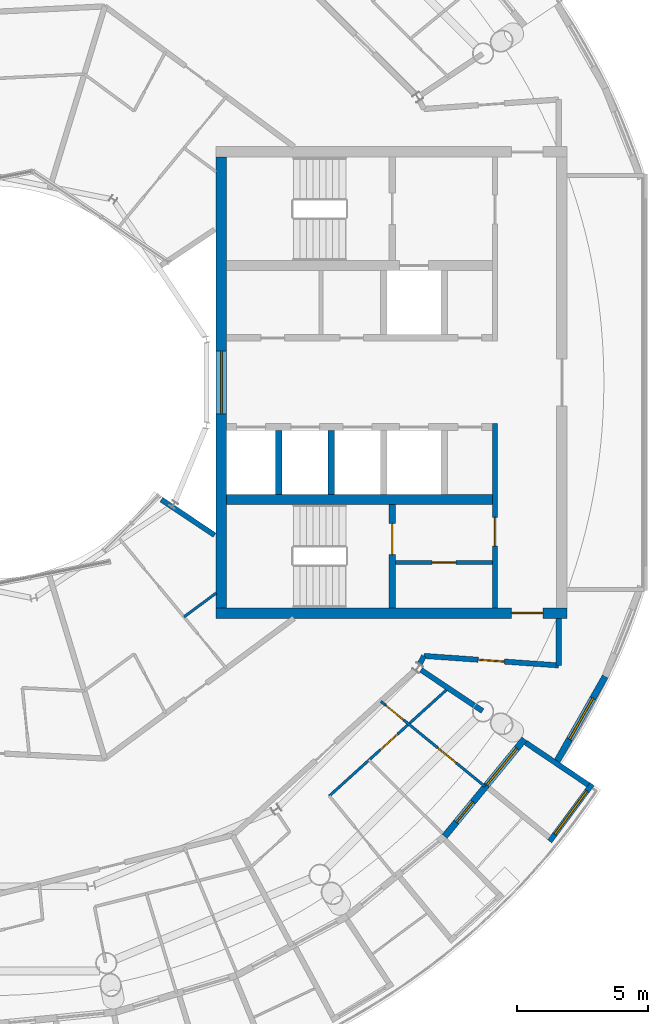
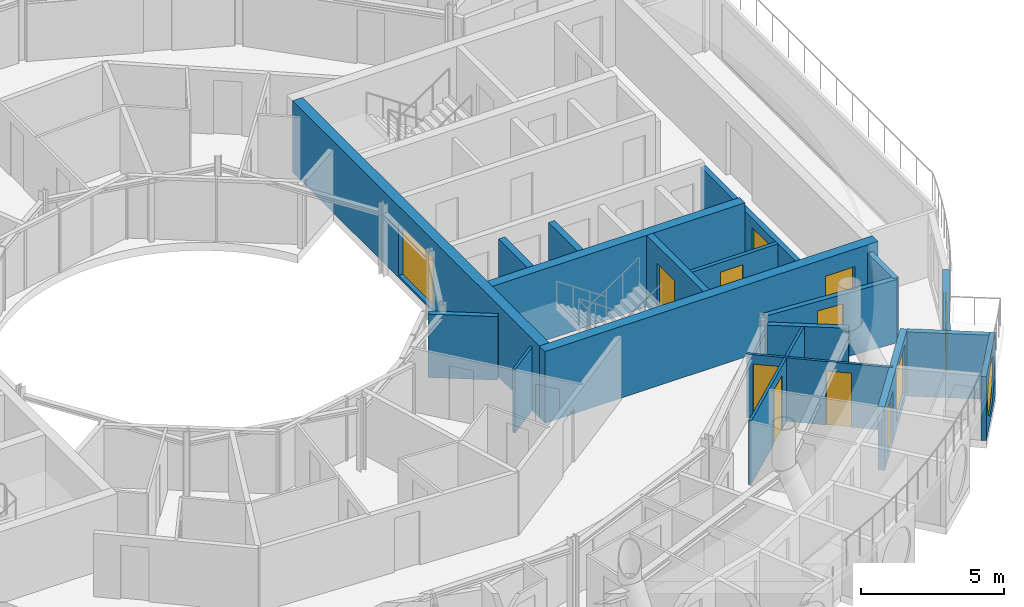
# One storey, part 16 of 25: 20 walls, 9 doors, 4 windows, 13 openings.
"""IFC4 building model written with IfcOpenShell, lengths in metres."""

from ifc_helpers import new_model, si_unit, direction, frame, frame_2d, origin, place, context, subcontext, project, spatial, rectangle, circle, extrude, material, layer, layer_set, type_object, element, fill, save


model = new_model("IFC4")

# Units and contexts
model_context = context("Model", 3, precision=1e-05, world=origin(), true_north=direction((0.0, 1.0)))
body_context = subcontext(model_context, "Body", "Model", "MODEL_VIEW")
ifc_project = project(units=[si_unit("LENGTHUNIT", "METRE"), si_unit("AREAUNIT", "SQUARE_METRE"), si_unit("VOLUMEUNIT", "CUBIC_METRE"), si_unit("PLANEANGLEUNIT", "RADIAN"), si_unit("MASSUNIT", "GRAM", prefix="KILO")], contexts=[model_context])

# Site, building, storey
site_placement = place(None, origin())
site = spatial("IfcSite", under=ifc_project, at=site_placement, CompositionType="ELEMENT")
building_placement = place(site_placement, origin())
building = spatial("IfcBuilding", under=site, at=building_placement, Name="Maasbend Ring Residences", CompositionType="ELEMENT")
storey_placement = place(building_placement, frame((0.0, 0.0, 246.25)))
storey = spatial("IfcBuildingStorey", under=building, at=storey_placement, Name="L71", CompositionType="ELEMENT", Elevation=246.25)

# Wall, opening, door
ifc_material_1 = material(Name="Concrete C50/60", Category="concrete")
ifc_layer_1 = layer(ifc_material_1, 0.25)
ifc_layer_set_1 = layer_set([ifc_layer_1], Name="Concrete C50/60")
wall_type_1 = type_object("IfcWallType", Name="CORE WALL 250 C50/60", PredefinedType="SHEAR", material=ifc_layer_set_1)
wall_1_placement = place(storey_placement, frame((15.324951171875, -8.60009765625, 0.0), z_axis=(0.0, 0.0, 1.0), x_axis=(0.0, 1.0, 0.0)))
wall_1 = element("IfcWall", 1, at=wall_1_placement, inside=storey, type_object=wall_type_1, Name="L71 core E wall STES", PredefinedType="SHEAR", context=body_context, shape_type="SweptSolid", body=[
    extrude(rectangle(XDim=3.9501953125, YDim=0.25, at=frame_2d((1.97509765625, 0.0))), origin(), (0.0, 0.0, 1.0), 3.050048828125),
])
opening_1_placement = place(wall_1_placement, frame((2.02490234375, 0.0, 0.0)))
opening_1 = element("IfcOpeningElement", 2, at=opening_1_placement, cuts=wall_1, Name="Opening D-E7112", PredefinedType="OPENING", context=body_context, shape_type="SweptSolid", body=[
    extrude(rectangle(XDim=1.199951171875, YDim=2.300048828125, at=frame_2d((0.60009765625, 1.14990234375))), frame((0.0, 0.135009765625, 0.0), z_axis=(0.0, -1.0, 0.0), x_axis=(1.0, 0.0, 0.0)), (0.0, 0.0, 1.0), 0.27001953125),
])
ifc_material_2 = material(Name="Steel, powder coated", Category="steel")
door_type_1 = type_object("IfcDoorType", Name="STAIR DOOR 1200 X 2300 FD60", OperationType="NOTDEFINED", PredefinedType="DOOR", material=ifc_material_2)
door_1_placement = place(opening_1_placement, origin())
door_1 = element("IfcDoor", 3, at=door_1_placement, inside=storey, type_object=door_type_1, Name="Stair door ST-E L71", OperationType="SINGLE_SWING_LEFT", OverallHeight=2.300048828125, OverallWidth=1.199951171875, PredefinedType="DOOR", context=body_context, shape_type="SweptSolid", body=[
    extrude(rectangle(XDim=1.199951171875, YDim=2.300048828125, at=frame_2d((0.60009765625, 1.14990234375))), frame((0.0, 0.02490234375, 0.0), z_axis=(0.0, -1.0, 0.0), x_axis=(1.0, 0.0, 0.0)), (0.0, 0.0, 1.0), 0.050048828125),
])
fill(opening_1, door_1)

# Wall
ifc_material_3 = material(Name="Concrete C50/60", Category="concrete")
ifc_layer_2 = layer(ifc_material_3, 0.375)
ifc_layer_set_2 = layer_set([ifc_layer_2], Name="Concrete C50/60")
wall_type_2 = type_object("IfcWallType", Name="CORE WALL 375 C50/60", PredefinedType="SHEAR", material=ifc_layer_set_2)
wall_2_placement = place(storey_placement, frame((9.0, -4.46240234375, 0.0), z_axis=(0.0, 0.0, 1.0), x_axis=(1.0, 0.0, 0.0)))
element("IfcWall", 4, at=wall_2_placement, inside=storey, type_object=wall_type_2, Name="L71 core E wall BS", PredefinedType="SHEAR", context=body_context, shape_type="SweptSolid", body=[
    extrude(rectangle(XDim=10.14990234375, YDim=0.375, at=frame_2d((5.074951171875, 0.0))), origin(), (0.0, 0.0, 1.0), 3.050048828125),
])

# Wall, opening, door
ifc_material_4 = material(Name="Concrete C50/60", Category="concrete")
ifc_layer_3 = layer(ifc_material_4, 0.39990234375)
ifc_layer_set_3 = layer_set([ifc_layer_3], Name="Concrete C50/60")
wall_type_3 = type_object("IfcWallType", Name="CORE WALL 400 C50/60", PredefinedType="SHEAR", material=ifc_layer_set_3)
wall_3_placement = place(storey_placement, frame((8.60009765625, -8.800048828125, 0.0), z_axis=(0.0, 0.0, 1.0), x_axis=(1.0, 0.0, 0.0)))
wall_3 = element("IfcWall", 5, at=wall_3_placement, inside=storey, type_object=wall_type_3, Name="L71 core E wall PS", PredefinedType="SHEAR", context=body_context, shape_type="SweptSolid", body=[
    extrude(rectangle(XDim=13.39990234375, YDim=0.39990234375, at=frame_2d((6.699951171875, 0.0))), origin(), (0.0, 0.0, 1.0), 3.050048828125),
])
opening_2_placement = place(wall_3_placement, frame((11.27490234375, 0.0, 0.0)))
opening_2 = element("IfcOpeningElement", 6, at=opening_2_placement, cuts=wall_3, Name="Opening D-E7116", PredefinedType="OPENING", context=body_context, shape_type="SweptSolid", body=[
    extrude(rectangle(XDim=1.199951171875, YDim=2.300048828125, at=frame_2d((0.60009765625, 1.14990234375))), frame((0.0, 0.2099609375, 0.0), z_axis=(0.0, -1.0, 0.0), x_axis=(1.0, 0.0, 0.0)), (0.0, 0.0, 1.0), 0.419921875),
])
ifc_material_5 = material(Name="Steel, powder coated", Category="steel")
door_type_2 = type_object("IfcDoorType", Name="CORRIDOR DOOR 1200 X 2300 FD30S", OperationType="NOTDEFINED", PredefinedType="DOOR", material=ifc_material_5)
door_2_placement = place(opening_2_placement, origin())
door_2 = element("IfcDoor", 7, at=door_2_placement, inside=storey, type_object=door_type_2, Name="Corridor door L71", OperationType="SINGLE_SWING_LEFT", OverallHeight=2.300048828125, OverallWidth=1.199951171875, PredefinedType="DOOR", context=body_context, shape_type="SweptSolid", body=[
    extrude(rectangle(XDim=1.199951171875, YDim=2.300048828125, at=frame_2d((0.60009765625, 1.14990234375))), frame((0.0, 0.02490234375, 0.0), z_axis=(0.0, -1.0, 0.0), x_axis=(1.0, 0.0, 0.0)), (0.0, 0.0, 1.0), 0.050048828125),
])
fill(opening_2, door_2)

# Wall, opening, window
wall_4_placement = place(storey_placement, frame((8.800048828125, -8.60009765625, 0.0), z_axis=(0.0, 0.0, 1.0), x_axis=(0.0, 1.0, 0.0)))
wall_4 = element("IfcWall", 8, at=wall_4_placement, inside=storey, type_object=wall_type_3, Name="L71 core E wall PIN", PredefinedType="SHEAR", context=body_context, shape_type="SweptSolid", body=[
    extrude(rectangle(XDim=17.2001953125, YDim=0.39990234375, at=frame_2d((8.60009765625, 0.0))), origin(), (0.0, 0.0, 1.0), 3.050048828125),
])
opening_3_placement = place(wall_4_placement, frame((7.39990234375, 0.0, 0.10009765625)))
opening_3 = element("IfcOpeningElement", 9, at=opening_3_placement, cuts=wall_4, Name="Opening W-E7101", PredefinedType="OPENING", context=body_context, shape_type="SweptSolid", body=[
    extrude(rectangle(XDim=2.39990234375, YDim=2.199951171875, at=frame_2d((1.199951171875, 1.10009765625))), frame((0.0, 0.2099609375, 0.0), z_axis=(0.0, -1.0, 0.0), x_axis=(1.0, 0.0, 0.0)), (0.0, 0.0, 1.0), 0.419921875),
])
ifc_material_6 = material(Name="Aluminium frame and clear glass", Category="aluminium")
window_type_1 = type_object("IfcWindowType", Name="FIXED WINDOW 2400 X 2200", PartitioningType="SINGLE_PANEL", PredefinedType="WINDOW", material=ifc_material_6)
window_1_placement = place(opening_3_placement, origin())
window_1 = element("IfcWindow", 10, at=window_1_placement, inside=storey, type_object=window_type_1, Name="Lobby window L71", OverallHeight=2.199951171875, OverallWidth=2.39990234375, PartitioningType="SINGLE_PANEL", PredefinedType="WINDOW", context=body_context, shape_type="SweptSolid", body=[
    extrude(rectangle(XDim=2.39990234375, YDim=2.199951171875, at=frame_2d((1.199951171875, 1.10009765625))), frame((0.0, 0.030029296875, 0.0), z_axis=(0.0, -1.0, 0.0), x_axis=(1.0, 0.0, 0.0)), (0.0, 0.0, 1.0), 0.06005859375),
])
fill(opening_3, window_1)

# Walls
ifc_material_7 = material(Name="Concrete C30/37", Category="concrete")
ifc_layer_4 = layer(ifc_material_7, 0.199951171875)
ifc_layer_set_4 = layer_set([ifc_layer_4], Name="Concrete C30/37")
wall_type_4 = type_object("IfcWallType", Name="CORRIDOR WALL 200 CONCRETE", PredefinedType="PARTITIONING", material=ifc_layer_set_4)
wall_5_placement = place(storey_placement, frame((21.675048828125, -10.800048828125, 0.0), z_axis=(0.0, 0.0, 1.0), x_axis=(0.0, 1.0, 0.0)))
element("IfcWall", 11, at=wall_5_placement, inside=storey, type_object=wall_type_4, Name="U-L71-w001", PredefinedType="PARTITIONING", context=body_context, shape_type="SweptSolid", body=[
    extrude(rectangle(XDim=1.800048828125, YDim=0.199951171875, at=frame_2d((0.89990234375, 0.0))), origin(), (0.0, 0.0, 1.0), 2.699951171875),
])
wall_6_placement = place(storey_placement, frame((16.366943359375, -10.756103515625, 0.0), z_axis=(0.0, 0.0, 1.0), x_axis=(0.465802239822, 0.884888848035, 0.0)))
element("IfcWall", 12, at=wall_6_placement, inside=storey, type_object=wall_type_4, Name="U-L71-w012", PredefinedType="PARTITIONING", context=body_context, shape_type="SweptSolid", body=[
    extrude(rectangle(XDim=0.360595703125, YDim=0.199951171875, at=frame_2d((0.18017578125, 0.0))), origin(), (0.0, 0.0, 1.0), 2.699951171875),
])

# Wall, opening, door
wall_7_placement = place(storey_placement, frame((16.534912109375, -10.43701171875, 0.0), z_axis=(0.0, 0.0, 1.0), x_axis=(0.997515141784, -0.070452408845, 0.0)))
wall_7 = element("IfcWall", 13, at=wall_7_placement, inside=storey, type_object=wall_type_4, Name="U-L71-w027", PredefinedType="PARTITIONING", context=body_context, shape_type="SweptSolid", body=[
    extrude(rectangle(XDim=5.15283203125, YDim=0.199951171875, at=frame_2d((2.576416015625, 0.0))), origin(), (0.0, 0.0, 1.0), 2.699951171875),
])
opening_4_placement = place(wall_7_placement, frame((2.075927734375, 0.0, 0.0)))
opening_4 = element("IfcOpeningElement", 14, at=opening_4_placement, cuts=wall_7, Name="Opening D-7168", PredefinedType="OPENING", context=body_context, shape_type="SweptSolid", body=[
    extrude(rectangle(XDim=1.0, YDim=2.300048828125, at=frame_2d((0.5, 1.14990234375))), frame((0.0, 0.10986328125, 0.0), z_axis=(0.0, -1.0, 0.0), x_axis=(1.0, 0.0, 0.0)), (0.0, 0.0, 1.0), 0.219970703125),
])
ifc_material_8 = material(Name="Timber, painted", Category="wood")
door_type_3 = type_object("IfcDoorType", Name="ROOM DOOR 1000 X 2300", OperationType="NOTDEFINED", PredefinedType="DOOR", material=ifc_material_8)
door_3_placement = place(opening_4_placement, origin())
door_3 = element("IfcDoor", 15, at=door_3_placement, inside=storey, type_object=door_type_3, Name="D-7168", OperationType="SINGLE_SWING_LEFT", OverallHeight=2.300048828125, OverallWidth=1.0, PredefinedType="DOOR", context=body_context, shape_type="SweptSolid", body=[
    extrude(rectangle(XDim=1.0, YDim=2.300048828125, at=frame_2d((0.5, 1.14990234375))), frame((0.0, 0.02490234375, 0.0), z_axis=(0.0, -1.0, 0.0), x_axis=(1.0, 0.0, 0.0)), (0.0, 0.0, 1.0), 0.050048828125),
])
fill(opening_4, door_3)

# Wall, opening, window
ifc_material_9 = material(Name="Pale anodised aluminium panel", Category="aluminium")
ifc_layer_5 = layer(ifc_material_9, 0.199951171875)
ifc_layer_set_5 = layer_set([ifc_layer_5], Name="EW-BOX")
wall_type_5 = type_object("IfcWallType", Name="EW-BOX", PredefinedType="SOLIDWALL", material=ifc_layer_set_5)
wall_8_placement = place(storey_placement, frame((21.33203125, -17.512939453125, -0.030029296875), z_axis=(0.0, 0.0, 1.0), x_axis=(0.59569365177, 0.803211723794, 0.0)))
wall_8 = element("IfcWall", 16, at=wall_8_placement, inside=storey, type_object=wall_type_5, Name="Box front S20", PredefinedType="SOLIDWALL", context=body_context, shape_type="SweptSolid", body=[
    extrude(rectangle(XDim=2.7177734375, YDim=0.199951171875, at=frame_2d((1.35888671875, 0.0))), origin(), (0.0, 0.0, 1.0), 2.72998046875),
])
opening_5_placement = place(wall_8_placement, frame((0.319091796875, 0.0, 0.330078125)))
opening_5 = element("IfcOpeningElement", 17, at=opening_5_placement, cuts=wall_8, Name="Opening W-RD", PredefinedType="OPENING", context=body_context, shape_type="SweptSolid", body=[
    extrude(circle(Radius=1.0400390625, at=frame_2d((1.0400390625, 1.0400390625))), frame((0.0, 0.10986328125, 0.0), z_axis=(0.0, -1.0, 0.0), x_axis=(1.0, 0.0, 0.0)), (0.0, 0.0, 1.0), 0.219970703125),
])
ifc_material_10 = material(Name="Aluminium and clear glass", Category="aluminium")
window_type_2 = type_object("IfcWindowType", Name="W-RD", PartitioningType="SINGLE_PANEL", PredefinedType="WINDOW", material=ifc_material_10)
window_2_placement = place(opening_5_placement, origin())
window_2 = element("IfcWindow", 18, at=window_2_placement, inside=storey, type_object=window_type_2, Name="Round window S20", OverallHeight=2.080078125, OverallWidth=2.080078125, PartitioningType="SINGLE_PANEL", PredefinedType="WINDOW", context=body_context, shape_type="SweptSolid", body=[
    extrude(circle(Radius=1.0400390625, at=frame_2d((1.0400390625, 1.0400390625))), frame((0.0, 0.030029296875, 0.0), z_axis=(0.0, -1.0, 0.0), x_axis=(1.0, 0.0, 0.0)), (0.0, 0.0, 1.0), 0.06005859375),
])
fill(opening_5, window_2)

# Wall
wall_9_placement = place(storey_placement, frame((20.4189453125, -13.75, -0.030029296875), z_axis=(0.0, 0.0, 1.0), x_axis=(0.829211810515, -0.558934498222, 0.0)))
element("IfcWall", 19, at=wall_9_placement, inside=storey, type_object=wall_type_5, Name="Box side wall S20 right", PredefinedType="SOLIDWALL", context=body_context, shape_type="SweptSolid", body=[
    extrude(rectangle(XDim=2.88232421875, YDim=0.199951171875, at=frame_2d((1.441162109375, 0.0))), origin(), (0.0, 0.0, 1.0), 2.72998046875),
])

# Wall, openings, door, window
ifc_material_11 = material(Name="Aluminium clad insulated panel", Category="aluminium")
ifc_layer_6 = layer(ifc_material_11, 0.25)
ifc_layer_set_6 = layer_set([ifc_layer_6], Name="EW-GL")
wall_type_6 = type_object("IfcWallType", Name="EW-GL", PredefinedType="SOLIDWALL", material=ifc_layer_set_6)
wall_10_placement = place(storey_placement, frame((17.323974609375, -17.323974609375, 0.0), z_axis=(0.0, 0.0, 1.0), x_axis=(0.634396836208, 0.773007538262, 0.0)))
wall_10 = element("IfcWall", 20, at=wall_10_placement, inside=storey, type_object=wall_type_6, Name="External wall S10", PredefinedType="SOLIDWALL", context=body_context, shape_type="SweptSolid", body=[
    extrude(rectangle(XDim=4.80322265625, YDim=0.25, at=frame_2d((2.401611328125, 0.0))), origin(), (0.0, 0.0, 1.0), 2.699951171875),
])
opening_6_placement = place(wall_10_placement, frame((0.70361328125, 0.0, 0.0)))
opening_6 = element("IfcOpeningElement", 21, at=opening_6_placement, cuts=wall_10, Name="Opening D-LG", PredefinedType="OPENING", context=body_context, shape_type="SweptSolid", body=[
    extrude(rectangle(XDim=1.0, YDim=2.199951171875, at=frame_2d((0.5, 1.10009765625))), frame((0.0, 0.135009765625, 0.0), z_axis=(0.0, -1.0, 0.0), x_axis=(1.0, 0.0, 0.0)), (0.0, 0.0, 1.0), 0.27001953125),
])
opening_7_placement = place(wall_10_placement, frame((2.54150390625, 0.0, 0.300048828125)))
opening_7 = element("IfcOpeningElement", 22, at=opening_7_placement, cuts=wall_10, Name="Opening W-BX", PredefinedType="OPENING", context=body_context, shape_type="SweptSolid", body=[
    extrude(rectangle(XDim=1.800048828125, YDim=2.10009765625, at=frame_2d((0.89990234375, 1.050048828125))), frame((0.0, 0.135009765625, 0.0), z_axis=(0.0, -1.0, 0.0), x_axis=(1.0, 0.0, 0.0)), (0.0, 0.0, 1.0), 0.27001953125),
])
ifc_material_12 = material(Name="Aluminium and clear glass", Category="aluminium")
door_type_4 = type_object("IfcDoorType", Name="D-LG", OperationType="SINGLE_SWING_LEFT", PredefinedType="DOOR", material=ifc_material_12)
door_4_placement = place(opening_6_placement, origin())
door_4 = element("IfcDoor", 23, at=door_4_placement, inside=storey, type_object=door_type_4, Name="Loggia door S19", OperationType="SINGLE_SWING_LEFT", OverallHeight=2.199951171875, OverallWidth=1.0, PredefinedType="DOOR", context=body_context, shape_type="SweptSolid", body=[
    extrude(rectangle(XDim=1.0, YDim=2.199951171875, at=frame_2d((0.5, 1.10009765625))), frame((0.0, 0.02490234375, 0.0), z_axis=(0.0, -1.0, 0.0), x_axis=(1.0, 0.0, 0.0)), (0.0, 0.0, 1.0), 0.050048828125),
])
fill(opening_6, door_4)
ifc_material_13 = material(Name="Aluminium and clear glass", Category="aluminium")
window_type_3 = type_object("IfcWindowType", Name="W-BX", PartitioningType="DOUBLE_PANEL_VERTICAL", PredefinedType="WINDOW", material=ifc_material_13)
window_3_placement = place(opening_7_placement, origin())
window_3 = element("IfcWindow", 24, at=window_3_placement, inside=storey, type_object=window_type_3, Name="Window S20 room to box", OverallHeight=2.10009765625, OverallWidth=1.800048828125, PartitioningType="SINGLE_PANEL", PredefinedType="WINDOW", context=body_context, shape_type="SweptSolid", body=[
    extrude(rectangle(XDim=1.800048828125, YDim=2.10009765625, at=frame_2d((0.89990234375, 1.050048828125))), frame((0.0, 0.030029296875, 0.0), z_axis=(0.0, -1.0, 0.0), x_axis=(1.0, 0.0, 0.0)), (0.0, 0.0, 1.0), 0.06005859375),
])
fill(opening_7, window_3)

# Wall, opening, window
ifc_material_14 = material(Name="Aluminium clad insulated panel", Category="aluminium")
ifc_layer_7 = layer(ifc_material_14, 0.25)
ifc_layer_set_7 = layer_set([ifc_layer_7], Name="EW-HORN")
wall_type_7 = type_object("IfcWallType", Name="EW-HORN", PredefinedType="SOLIDWALL", material=ifc_layer_set_7)
wall_11_placement = place(storey_placement, frame((21.617919921875, -14.445068359375, 0.0), z_axis=(0.0, 0.0, 1.0), x_axis=(0.495031435966, 0.868875064325, 0.0)))
wall_11 = element("IfcWall", 25, at=wall_11_placement, inside=storey, type_object=wall_type_7, Name="Horn wall 2.1", PredefinedType="SOLIDWALL", context=body_context, shape_type="SweptSolid", body=[
    extrude(rectangle(XDim=3.704833984375, YDim=0.25, at=frame_2d((1.8525390625, 0.0))), origin(), (0.0, 0.0, 1.0), 2.699951171875),
])
opening_8_placement = place(wall_11_placement, frame((0.952392578125, 0.0, 0.300048828125)))
opening_8 = element("IfcOpeningElement", 26, at=opening_8_placement, cuts=wall_11, Name="Opening W-BX", PredefinedType="OPENING", context=body_context, shape_type="SweptSolid", body=[
    extrude(rectangle(XDim=1.800048828125, YDim=2.10009765625, at=frame_2d((0.89990234375, 1.050048828125))), frame((0.0, 0.135009765625, 0.0), z_axis=(0.0, -1.0, 0.0), x_axis=(1.0, 0.0, 0.0)), (0.0, 0.0, 1.0), 0.27001953125),
])
window_4_placement = place(opening_8_placement, origin())
window_4 = element("IfcWindow", 27, at=window_4_placement, inside=storey, type_object=window_type_3, Name="Horn window 2.1", OverallHeight=2.10009765625, OverallWidth=1.800048828125, PartitioningType="SINGLE_PANEL", PredefinedType="WINDOW", context=body_context, shape_type="SweptSolid", body=[
    extrude(rectangle(XDim=1.800048828125, YDim=2.10009765625, at=frame_2d((0.89990234375, 1.050048828125))), frame((0.0, 0.030029296875, 0.0), z_axis=(0.0, -1.0, 0.0), x_axis=(1.0, 0.0, 0.0)), (0.0, 0.0, 1.0), 0.06005859375),
])
fill(opening_8, window_4)

# Wall, opening, door
ifc_material_15 = material(Name="Gypsum board on steel studs", Category="steel")
ifc_layer_8 = layer(ifc_material_15, 0.10009765625)
ifc_layer_set_8 = layer_set([ifc_layer_8], Name="PARTITION 100 GYPSUM")
wall_type_8 = type_object("IfcWallType", Name="PARTITION 100 GYPSUM", PredefinedType="PARTITIONING", material=ifc_layer_set_8)
wall_12_placement = place(storey_placement, frame((12.919921875, -15.784912109375, 0.0), z_axis=(0.0, 0.0, 1.0), x_axis=(0.74123210671, 0.671248809297, 0.0)))
wall_12 = element("IfcWall", 28, at=wall_12_placement, inside=storey, type_object=wall_type_8, Name="U-L71-w010", PredefinedType="PARTITIONING", context=body_context, shape_type="SweptSolid", body=[
    extrude(rectangle(XDim=6.115478515625, YDim=0.10009765625, at=frame_2d((3.0576171875, 0.0))), origin(), (0.0, 0.0, 1.0), 2.699951171875),
])
opening_9_placement = place(wall_12_placement, frame((2.6220703125, 0.0, 0.0)))
opening_9 = element("IfcOpeningElement", 29, at=opening_9_placement, cuts=wall_12, Name="Opening D-7153", PredefinedType="OPENING", context=body_context, shape_type="SweptSolid", body=[
    extrude(rectangle(XDim=0.89990234375, YDim=2.300048828125, at=frame_2d((0.449951171875, 1.14990234375))), frame((0.0, 0.06005859375, 0.0), z_axis=(0.0, -1.0, 0.0), x_axis=(1.0, 0.0, 0.0)), (0.0, 0.0, 1.0), 0.1201171875),
])
ifc_material_16 = material(Name="Timber, painted", Category="wood")
door_type_5 = type_object("IfcDoorType", Name="INTERNAL DOOR 900 X 2300", OperationType="NOTDEFINED", PredefinedType="DOOR", material=ifc_material_16)
door_5_placement = place(opening_9_placement, origin())
door_5 = element("IfcDoor", 30, at=door_5_placement, inside=storey, type_object=door_type_5, Name="D-7153", OperationType="SINGLE_SWING_RIGHT", OverallHeight=2.300048828125, OverallWidth=0.89990234375, PredefinedType="DOOR", context=body_context, shape_type="SweptSolid", body=[
    extrude(rectangle(XDim=0.89990234375, YDim=2.300048828125, at=frame_2d((0.449951171875, 1.14990234375))), frame((0.0, 0.02490234375, 0.0), z_axis=(0.0, -1.0, 0.0), x_axis=(1.0, 0.0, 0.0)), (0.0, 0.0, 1.0), 0.050048828125),
])
fill(opening_9, door_5)

# Wall
wall_13_placement = place(storey_placement, frame((7.3759765625, -8.947998046875, 0.0), z_axis=(0.0, 0.0, 1.0), x_axis=(0.80332760487, 0.595537370157, 0.0)))
element("IfcWall", 31, at=wall_13_placement, inside=storey, type_object=wall_type_8, Name="U-L71-w025", PredefinedType="PARTITIONING", context=body_context, shape_type="SweptSolid", body=[
    extrude(rectangle(XDim=1.526123046875, YDim=0.10009765625, at=frame_2d((0.76318359375, 0.0))), origin(), (0.0, 0.0, 1.0), 2.699951171875),
])

# Wall, openings, doors
wall_14_placement = place(storey_placement, frame((14.885009765625, -12.16796875, 0.0), z_axis=(0.0, 0.0, 1.0), x_axis=(0.774252940636, -0.632876278522, 0.0)))
wall_14 = element("IfcWall", 32, at=wall_14_placement, inside=storey, type_object=wall_type_8, Name="U-L71-w084", PredefinedType="PARTITIONING", context=body_context, shape_type="SweptSolid", body=[
    extrude(rectangle(XDim=5.149658203125, YDim=0.10009765625, at=frame_2d((2.57470703125, 0.0))), origin(), (0.0, 0.0, 1.0), 2.699951171875),
])
opening_10_placement = place(wall_14_placement, frame((0.237060546875, 0.0, 0.0)))
opening_10 = element("IfcOpeningElement", 33, at=opening_10_placement, cuts=wall_14, Name="Opening D-7151", PredefinedType="OPENING", context=body_context, shape_type="SweptSolid", body=[
    extrude(rectangle(XDim=0.89990234375, YDim=2.300048828125, at=frame_2d((0.449951171875, 1.14990234375))), frame((0.0, 0.06005859375, 0.0), z_axis=(0.0, -1.0, 0.0), x_axis=(1.0, 0.0, 0.0)), (0.0, 0.0, 1.0), 0.1201171875),
])
opening_11_placement = place(wall_14_placement, frame((2.81201171875, 0.0, 0.0)))
opening_11 = element("IfcOpeningElement", 34, at=opening_11_placement, cuts=wall_14, Name="Opening D-7154", PredefinedType="OPENING", context=body_context, shape_type="SweptSolid", body=[
    extrude(rectangle(XDim=0.89990234375, YDim=2.300048828125, at=frame_2d((0.449951171875, 1.14990234375))), frame((0.0, 0.06005859375, 0.0), z_axis=(0.0, -1.0, 0.0), x_axis=(1.0, 0.0, 0.0)), (0.0, 0.0, 1.0), 0.1201171875),
])
door_6_placement = place(opening_10_placement, origin())
door_6 = element("IfcDoor", 35, at=door_6_placement, inside=storey, type_object=door_type_5, Name="D-7151", OperationType="SINGLE_SWING_LEFT", OverallHeight=2.300048828125, OverallWidth=0.89990234375, PredefinedType="DOOR", context=body_context, shape_type="SweptSolid", body=[
    extrude(rectangle(XDim=0.89990234375, YDim=2.300048828125, at=frame_2d((0.449951171875, 1.14990234375))), frame((0.0, 0.02490234375, 0.0), z_axis=(0.0, -1.0, 0.0), x_axis=(1.0, 0.0, 0.0)), (0.0, 0.0, 1.0), 0.050048828125),
])
fill(opening_10, door_6)
door_7_placement = place(opening_11_placement, origin())
door_7 = element("IfcDoor", 36, at=door_7_placement, inside=storey, type_object=door_type_5, Name="D-7154", OperationType="SINGLE_SWING_RIGHT", OverallHeight=2.300048828125, OverallWidth=0.89990234375, PredefinedType="DOOR", context=body_context, shape_type="SweptSolid", body=[
    extrude(rectangle(XDim=0.89990234375, YDim=2.300048828125, at=frame_2d((0.449951171875, 1.14990234375))), frame((0.0, 0.02490234375, 0.0), z_axis=(0.0, -1.0, 0.0), x_axis=(1.0, 0.0, 0.0)), (0.0, 0.0, 1.0), 0.050048828125),
])
fill(opening_11, door_7)

# Wall, opening, door
ifc_material_17 = material(Name="Gypsum board on steel studs", Category="steel")
ifc_layer_9 = layer(ifc_material_17, 0.14990234375)
ifc_layer_set_9 = layer_set([ifc_layer_9], Name="PARTITION 150 EI 60")
wall_type_9 = type_object("IfcWallType", Name="PARTITION 150 EI 60", PredefinedType="PARTITIONING", material=ifc_layer_set_9)
wall_15_placement = place(storey_placement, frame((15.449951171875, -6.875, 0.0), z_axis=(0.0, 0.0, 1.0), x_axis=(1.0, 0.0, 0.0)))
wall_15 = element("IfcWall", 37, at=wall_15_placement, inside=storey, type_object=wall_type_9, Name="L71 core E wall RHS", PredefinedType="PARTITIONING", context=body_context, shape_type="SweptSolid", body=[
    extrude(rectangle(XDim=3.699951171875, YDim=0.14990234375, at=frame_2d((1.85009765625, 0.0))), origin(), (0.0, 0.0, 1.0), 2.699951171875),
])
opening_12_placement = place(wall_15_placement, frame((1.39990234375, 0.0, 0.0)))
opening_12 = element("IfcOpeningElement", 38, at=opening_12_placement, cuts=wall_15, Name="Opening D-E7110", PredefinedType="OPENING", context=body_context, shape_type="SweptSolid", body=[
    extrude(rectangle(XDim=0.89990234375, YDim=2.300048828125, at=frame_2d((0.449951171875, 1.14990234375))), frame((0.0, 0.0849609375, 0.0), z_axis=(0.0, -1.0, 0.0), x_axis=(1.0, 0.0, 0.0)), (0.0, 0.0, 1.0), 0.169921875),
])
ifc_material_18 = material(Name="Steel, powder coated", Category="steel")
door_type_6 = type_object("IfcDoorType", Name="RISER DOOR 900 X 2300 FD60", OperationType="NOTDEFINED", PredefinedType="DOOR", material=ifc_material_18)
door_8_placement = place(opening_12_placement, origin())
door_8 = element("IfcDoor", 39, at=door_8_placement, inside=storey, type_object=door_type_6, Name="Riser door L71", OperationType="SINGLE_SWING_LEFT", OverallHeight=2.300048828125, OverallWidth=0.89990234375, PredefinedType="DOOR", context=body_context, shape_type="SweptSolid", body=[
    extrude(rectangle(XDim=0.89990234375, YDim=2.300048828125, at=frame_2d((0.449951171875, 1.14990234375))), frame((0.0, 0.02490234375, 0.0), z_axis=(0.0, -1.0, 0.0), x_axis=(1.0, 0.0, 0.0)), (0.0, 0.0, 1.0), 0.050048828125),
])
fill(opening_12, door_8)

# Walls
ifc_material_19 = material(Name="Concrete C30/37", Category="concrete")
ifc_layer_10 = layer(ifc_material_19, 0.199951171875)
ifc_layer_set_10 = layer_set([ifc_layer_10], Name="Concrete C30/37")
wall_type_10 = type_object("IfcWallType", Name="PARTY WALL 200 CONCRETE", PredefinedType="PARTITIONING", material=ifc_layer_set_10)
wall_16_placement = place(storey_placement, frame((6.512939453125, -4.471923828125, 0.0), z_axis=(0.0, 0.0, 1.0), x_axis=(0.831450132577, -0.555599385382, 0.0)))
element("IfcWall", 40, at=wall_16_placement, inside=storey, type_object=wall_type_10, Name="U-L71-w029", PredefinedType="PARTITIONING", context=body_context, shape_type="SweptSolid", body=[
    extrude(rectangle(XDim=2.442626953125, YDim=0.199951171875, at=frame_2d((1.22119140625, 0.0))), origin(), (0.0, 0.0, 1.0), 2.699951171875),
])
wall_17_placement = place(storey_placement, frame((16.422119140625, -10.971923828125, 0.0), z_axis=(0.0, 0.0, 1.0), x_axis=(0.83131782921, -0.555797325324, 0.0)))
element("IfcWall", 41, at=wall_17_placement, inside=storey, type_object=wall_type_10, Name="U-L71-w086", PredefinedType="PARTITIONING", context=body_context, shape_type="SweptSolid", body=[
    extrude(rectangle(XDim=2.8232421875, YDim=0.199951171875, at=frame_2d((1.41162109375, 0.0))), origin(), (0.0, 0.0, 1.0), 2.699951171875),
])

# Wall, opening, door
ifc_material_20 = material(Name="Concrete C30/37", Category="concrete")
ifc_layer_11 = layer(ifc_material_20, 0.199951171875)
ifc_layer_set_11 = layer_set([ifc_layer_11], Name="Concrete C30/37")
wall_type_11 = type_object("IfcWallType", Name="SHAFT WALL 200 EI 120", PredefinedType="SOLIDWALL", material=ifc_layer_set_11)
wall_18_placement = place(storey_placement, frame((19.25, -8.60009765625, 0.0), z_axis=(0.0, 0.0, 1.0), x_axis=(0.0, 1.0, 0.0)))
wall_18 = element("IfcWall", 42, at=wall_18_placement, inside=storey, type_object=wall_type_11, Name="L71 core E wall ENDS", PredefinedType="SOLIDWALL", context=body_context, shape_type="SweptSolid", body=[
    extrude(rectangle(XDim=7.025146484375, YDim=0.199951171875, at=frame_2d((3.5126953125, 0.0))), origin(), (0.0, 0.0, 1.0), 2.699951171875),
])
opening_13_placement = place(wall_18_placement, frame((2.35009765625, 0.0, 0.0)))
opening_13 = element("IfcOpeningElement", 43, at=opening_13_placement, cuts=wall_18, Name="Opening D-E7114", PredefinedType="OPENING", context=body_context, shape_type="SweptSolid", body=[
    extrude(rectangle(XDim=1.10009765625, YDim=2.300048828125, at=frame_2d((0.550048828125, 1.14990234375))), frame((0.0, 0.10986328125, 0.0), z_axis=(0.0, -1.0, 0.0), x_axis=(1.0, 0.0, 0.0)), (0.0, 0.0, 1.0), 0.219970703125),
])
ifc_material_21 = material(Name="Steel, powder coated", Category="steel")
door_type_7 = type_object("IfcDoorType", Name="LOBBY DOOR 1100 X 2300 FD60", OperationType="NOTDEFINED", PredefinedType="DOOR", material=ifc_material_21)
door_9_placement = place(opening_13_placement, origin())
door_9 = element("IfcDoor", 44, at=door_9_placement, inside=storey, type_object=door_type_7, Name="Lobby door L71", OperationType="SINGLE_SWING_RIGHT", OverallHeight=2.300048828125, OverallWidth=1.10009765625, PredefinedType="DOOR", context=body_context, shape_type="SweptSolid", body=[
    extrude(rectangle(XDim=1.10009765625, YDim=2.300048828125, at=frame_2d((0.550048828125, 1.14990234375))), frame((0.0, 0.02490234375, 0.0), z_axis=(0.0, -1.0, 0.0), x_axis=(1.0, 0.0, 0.0)), (0.0, 0.0, 1.0), 0.050048828125),
])
fill(opening_13, door_9)

# Walls
ifc_material_22 = material(Name="Concrete C30/37", Category="concrete")
ifc_layer_12 = layer(ifc_material_22, 0.25)
ifc_layer_set_12 = layer_set([ifc_layer_12], Name="Concrete C30/37")
wall_type_12 = type_object("IfcWallType", Name="SHAFT WALL 250 EI 120", PredefinedType="SOLIDWALL", material=ifc_layer_set_12)
for number, where, z_axis, x_axis, name in (
    (45, (11.0, -1.824951171875, 0.0), (0.0, 0.0, 1.0), (0.0, -1.0, 0.0), "L71 core E wall D110S"),
    (46, (13.0, -1.824951171875, 0.0), (0.0, 0.0, 1.0), (0.0, -1.0, 0.0), "L71 core E wall D130S"),
):
    element("IfcWall", number, at=place(storey_placement, frame(where, z_axis=z_axis, x_axis=x_axis)), inside=storey, type_object=wall_type_12, Name=name, PredefinedType="SOLIDWALL", context=body_context, shape_type="SweptSolid", body=[
        extrude(rectangle(XDim=2.449951171875, YDim=0.25, at=frame_2d((1.22509765625, 0.0))), origin(), (0.0, 0.0, 1.0), 2.699951171875),
    ])

save(model, "model.ifc")
